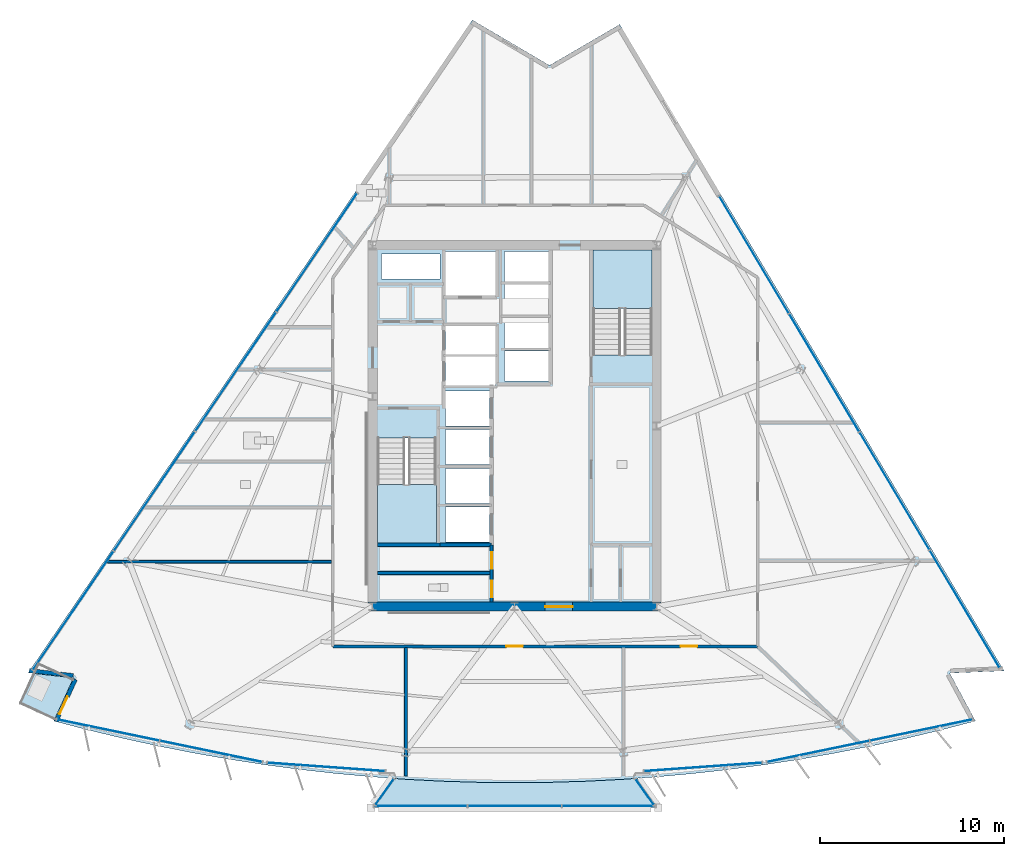
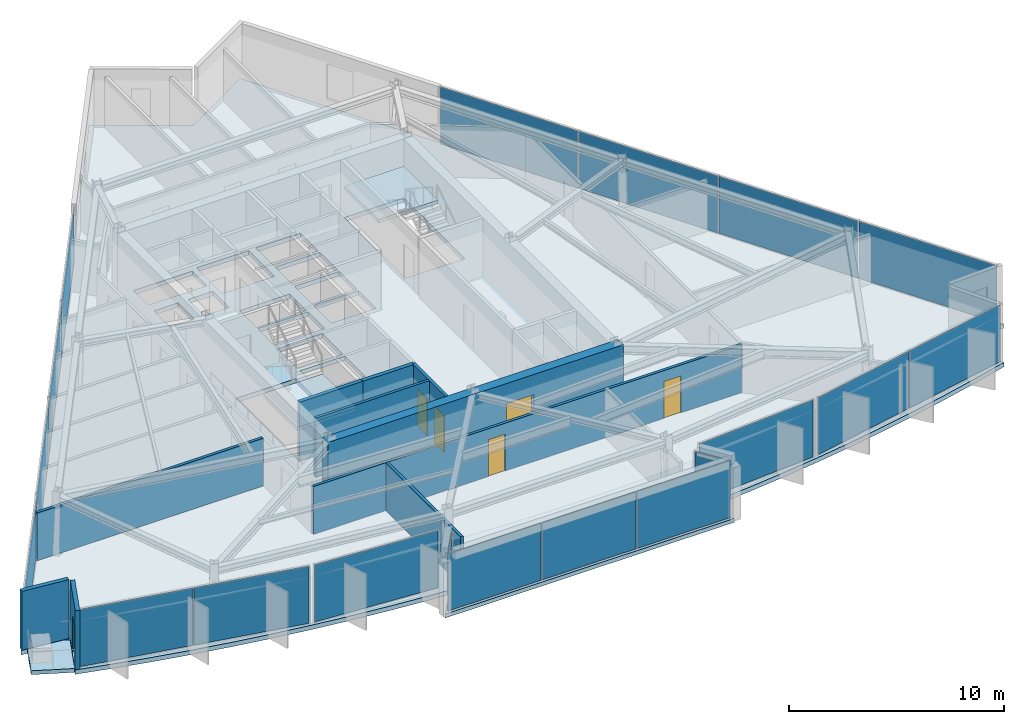
# One storey, part 7 of 15: 19 plates, 10 walls, 6 doors, 5 slabs, 6 openings, 11 elements without a shape of their own.
"""IFC4 building model written with IfcOpenShell, lengths in metres."""

from ifc_helpers import new_model, si_unit, direction, frame, frame_2d, origin, origin_2d, place, context, subcontext, project, spatial, polyline, rectangle, outline, extrude, material, layer, layer_set, type_object, element, fill, aggregate, save


model = new_model("IFC4")

# Units and contexts
model_context = context("Model", 3, precision=1e-05, world=origin(), true_north=direction((0.0, 1.0)))
body_context = subcontext(model_context, "Body", "Model", "MODEL_VIEW")
ifc_project = project(units=[si_unit("LENGTHUNIT", "METRE"), si_unit("AREAUNIT", "SQUARE_METRE"), si_unit("VOLUMEUNIT", "CUBIC_METRE"), si_unit("PLANEANGLEUNIT", "RADIAN"), si_unit("MASSUNIT", "GRAM", prefix="KILO")], contexts=[model_context])

# Site, building, storey
site_placement = place(None, origin())
site = spatial("IfcSite", under=ifc_project, at=site_placement, CompositionType="ELEMENT")
building_placement = place(site_placement, origin())
building = spatial("IfcBuilding", under=site, at=building_placement, Name="Savorim Split Tower", CompositionType="ELEMENT")
storey_placement = place(building_placement, frame((0.0, 0.0, 163.800048828125)))
storey = spatial("IfcBuildingStorey", under=building, at=storey_placement, Name="L43", CompositionType="ELEMENT", Elevation=163.800048828125)

# Curtain wall, plates
ifc_material_1 = material(Name="Dark Ceramic-Fritted Insulated Glass", Category="glass")
curtain_wall_type_1 = type_object("IfcCurtainWallType", Name="CW-TWR-FRIT-B", PredefinedType="NOTDEFINED", material=ifc_material_1)
curtain_wall_1_placement = place(storey_placement, origin())
curtain_wall_1 = element("IfcCurtainWall", 1, at=curtain_wall_1_placement, inside=storey, type_object=curtain_wall_type_1, Name="L43 Curtain Wall CW-L43-SF1A", PredefinedType="NOTDEFINED")
ifc_layer_1 = layer(ifc_material_1, 0.02587890625)
ifc_layer_set_1 = layer_set([ifc_layer_1], Name="CWP-FRITB-26")
plate_type_1 = type_object("IfcPlateType", Name="CWP-FRITB-26", PredefinedType="CURTAIN_PANEL", material=ifc_layer_set_1)
plate_1_placement = place(storey_placement, frame((-22.048583984375, -16.09619140625, 0.050048828125), z_axis=(0.0, 0.0, 1.0), x_axis=(0.979133837467, -0.20321645683, 0.0)))
plate_1 = element("IfcPlate", 2, at=plate_1_placement, type_object=plate_type_1, Name="CW-03 panel 1.1", PredefinedType="CURTAIN_PANEL", context=body_context, shape_type="SweptSolid", body=[
    extrude(rectangle(XDim=5.642333984375, YDim=0.02587890625, at=origin_2d()), origin(), (0.0, 0.0, 1.0), 3.25),
])
plate_2_placement = place(storey_placement, frame((-16.46533203125, -17.255126953125, 0.050048828125), z_axis=(0.0, 0.0, 1.0), x_axis=(0.979133837467, -0.20321645683, 0.0)))
plate_2 = element("IfcPlate", 3, at=plate_2_placement, type_object=plate_type_1, Name="CW-03 panel 2.1", PredefinedType="CURTAIN_PANEL", context=body_context, shape_type="SweptSolid", body=[
    extrude(rectangle(XDim=5.642333984375, YDim=0.02587890625, at=origin_2d()), origin(), (0.0, 0.0, 1.0), 3.25),
])
aggregate(curtain_wall_1, [plate_1, plate_2])

# Curtain wall, plate
curtain_wall_2_placement = place(storey_placement, origin())
curtain_wall_2 = element("IfcCurtainWall", 4, at=curtain_wall_2_placement, inside=storey, type_object=curtain_wall_type_1, Name="L43 Curtain Wall CW-L43-SF2A", PredefinedType="NOTDEFINED")
plate_3_placement = place(storey_placement, frame((-10.220947265625, -18.098388671875, 0.050048828125), z_axis=(0.0, 0.0, 1.0), x_axis=(0.997436471507, -0.071557566389, 0.0)))
plate_3 = element("IfcPlate", 5, at=plate_3_placement, type_object=plate_type_1, Name="CW-03 panel 1.1", PredefinedType="CURTAIN_PANEL", context=body_context, shape_type="SweptSolid", body=[
    extrude(rectangle(XDim=6.379638671875, YDim=0.02587890625, at=origin_2d()), origin(), (0.0, 0.0, 1.0), 3.25),
])
aggregate(curtain_wall_2, [plate_3])

curtain_wall_3_placement = place(storey_placement, origin())
curtain_wall_3 = element("IfcCurtainWall", 6, at=curtain_wall_3_placement, inside=storey, type_object=curtain_wall_type_1, Name="L43 Curtain Wall CW-L43-SF3A", PredefinedType="NOTDEFINED")
plate_4_placement = place(storey_placement, frame((10.220947265625, -18.098388671875, 0.050048828125), z_axis=(0.0, 0.0, 1.0), x_axis=(0.997436471507, 0.071557566389, 0.0)))
plate_4 = element("IfcPlate", 7, at=plate_4_placement, type_object=plate_type_1, Name="CW-03 panel 1.1", PredefinedType="CURTAIN_PANEL", context=body_context, shape_type="SweptSolid", body=[
    extrude(rectangle(XDim=6.379638671875, YDim=0.02587890625, at=origin_2d()), origin(), (0.0, 0.0, 1.0), 3.25),
])
aggregate(curtain_wall_3, [plate_4])

# Curtain wall, plates
curtain_wall_4_placement = place(storey_placement, origin())
curtain_wall_4 = element("IfcCurtainWall", 8, at=curtain_wall_4_placement, inside=storey, type_object=curtain_wall_type_1, Name="L43 Curtain Wall CW-L43-SF4A", PredefinedType="NOTDEFINED")
plate_5_placement = place(storey_placement, frame((16.46533203125, -17.255126953125, 0.050048828125), z_axis=(0.0, 0.0, 1.0), x_axis=(0.979133837467, 0.20321645683, 0.0)))
plate_5 = element("IfcPlate", 9, at=plate_5_placement, type_object=plate_type_1, Name="CW-03 panel 1.1", PredefinedType="CURTAIN_PANEL", context=body_context, shape_type="SweptSolid", body=[
    extrude(rectangle(XDim=5.642333984375, YDim=0.02587890625, at=origin_2d()), origin(), (0.0, 0.0, 1.0), 3.25),
])
plate_6_placement = place(storey_placement, frame((22.048583984375, -16.09619140625, 0.050048828125), z_axis=(0.0, 0.0, 1.0), x_axis=(0.979133837467, 0.20321645683, 0.0)))
plate_6 = element("IfcPlate", 10, at=plate_6_placement, type_object=plate_type_1, Name="CW-03 panel 2.1", PredefinedType="CURTAIN_PANEL", context=body_context, shape_type="SweptSolid", body=[
    extrude(rectangle(XDim=5.642333984375, YDim=0.02587890625, at=origin_2d()), origin(), (0.0, 0.0, 1.0), 3.25),
])
aggregate(curtain_wall_4, [plate_5, plate_6])

curtain_wall_5_placement = place(storey_placement, origin())
curtain_wall_5 = element("IfcCurtainWall", 11, at=curtain_wall_5_placement, inside=storey, type_object=curtain_wall_type_1, Name="L43 Curtain Wall CW-L43-EAST", PredefinedType="NOTDEFINED")
plate_7_placement = place(storey_placement, frame((24.410400390625, -9.536865234375, 0.050048828125), z_axis=(0.0, 0.0, 1.0), x_axis=(-0.511093786039, 0.85952495128, 0.0)))
plate_7 = element("IfcPlate", 12, at=plate_7_placement, type_object=plate_type_1, Name="CW-03 panel 1.1", PredefinedType="CURTAIN_PANEL", context=body_context, shape_type="SweptSolid", body=[
    extrude(rectangle(XDim=7.37353515625, YDim=0.02587890625, at=origin_2d()), origin(), (0.0, 0.0, 1.0), 3.25),
])
plate_8_placement = place(storey_placement, frame((20.603515625, -3.134765625, 0.050048828125), z_axis=(0.0, 0.0, 1.0), x_axis=(-0.511093786039, 0.85952495128, 0.0)))
plate_8 = element("IfcPlate", 13, at=plate_8_placement, type_object=plate_type_1, Name="CW-03 panel 2.1", PredefinedType="CURTAIN_PANEL", context=body_context, shape_type="SweptSolid", body=[
    extrude(rectangle(XDim=7.403564453125, YDim=0.02587890625, at=origin_2d()), origin(), (0.0, 0.0, 1.0), 3.25),
])
plate_9_placement = place(storey_placement, frame((16.7890625, 3.2802734375, 0.050048828125), z_axis=(0.0, 0.0, 1.0), x_axis=(-0.511093786039, 0.85952495128, 0.0)))
plate_9 = element("IfcPlate", 14, at=plate_9_placement, type_object=plate_type_1, Name="CW-03 panel 3.1", PredefinedType="CURTAIN_PANEL", context=body_context, shape_type="SweptSolid", body=[
    extrude(rectangle(XDim=7.403564453125, YDim=0.02587890625, at=origin_2d()), origin(), (0.0, 0.0, 1.0), 3.25),
])
plate_10_placement = place(storey_placement, frame((12.982177734375, 9.682373046875, 0.050048828125), z_axis=(0.0, 0.0, 1.0), x_axis=(-0.511093786039, 0.85952495128, 0.0)))
plate_10 = element("IfcPlate", 15, at=plate_10_placement, type_object=plate_type_1, Name="CW-03 panel 4.1", PredefinedType="CURTAIN_PANEL", context=body_context, shape_type="SweptSolid", body=[
    extrude(rectangle(XDim=7.37353515625, YDim=0.02587890625, at=origin_2d()), origin(), (0.0, 0.0, 1.0), 3.25),
])
aggregate(curtain_wall_5, [plate_7, plate_8, plate_9, plate_10])

curtain_wall_6_placement = place(storey_placement, origin())
curtain_wall_6 = element("IfcCurtainWall", 16, at=curtain_wall_6_placement, inside=storey, type_object=curtain_wall_type_1, Name="L43 Curtain Wall CW-L43-WEST", PredefinedType="NOTDEFINED")
plate_11_placement = place(storey_placement, frame((-10.730224609375, 9.800048828125, 0.050048828125), z_axis=(0.0, 0.0, 1.0), x_axis=(-0.562467714384, -0.826819248854, 0.0)))
plate_11 = element("IfcPlate", 17, at=plate_11_placement, type_object=plate_type_1, Name="CW-03 panel 1.1", PredefinedType="CURTAIN_PANEL", context=body_context, shape_type="SweptSolid", body=[
    extrude(rectangle(XDim=7.74951171875, YDim=0.02587890625, at=origin_2d()), origin(), (0.0, 0.0, 1.0), 3.25),
])
plate_12_placement = place(storey_placement, frame((-15.13134765625, 3.33056640625, 0.050048828125), z_axis=(0.0, 0.0, 1.0), x_axis=(-0.562467714384, -0.826819248854, 0.0)))
plate_12 = element("IfcPlate", 18, at=plate_12_placement, type_object=plate_type_1, Name="CW-03 panel 2.1", PredefinedType="CURTAIN_PANEL", context=body_context, shape_type="SweptSolid", body=[
    extrude(rectangle(XDim=7.779541015625, YDim=0.02587890625, at=origin_2d()), origin(), (0.0, 0.0, 1.0), 3.25),
])
plate_13_placement = place(storey_placement, frame((-19.540771484375, -3.1513671875, 0.050048828125), z_axis=(0.0, 0.0, 1.0), x_axis=(-0.562467714384, -0.826819248854, 0.0)))
plate_13 = element("IfcPlate", 19, at=plate_13_placement, type_object=plate_type_1, Name="CW-03 panel 3.1", PredefinedType="CURTAIN_PANEL", context=body_context, shape_type="SweptSolid", body=[
    extrude(rectangle(XDim=7.779541015625, YDim=0.02587890625, at=origin_2d()), origin(), (0.0, 0.0, 1.0), 3.25),
])
plate_14_placement = place(storey_placement, frame((-23.94189453125, -9.620849609375, 0.050048828125), z_axis=(0.0, 0.0, 1.0), x_axis=(-0.562467714384, -0.826819248854, 0.0)))
plate_14 = element("IfcPlate", 20, at=plate_14_placement, type_object=plate_type_1, Name="CW-03 panel 4.1", PredefinedType="CURTAIN_PANEL", context=body_context, shape_type="SweptSolid", body=[
    extrude(rectangle(XDim=7.74951171875, YDim=0.02587890625, at=origin_2d()), origin(), (0.0, 0.0, 1.0), 3.25),
])
aggregate(curtain_wall_6, [plate_11, plate_12, plate_13, plate_14])

curtain_wall_type_2 = type_object("IfcCurtainWallType", Name="CW-BAY-LOUNGE", PredefinedType="NOTDEFINED", material=ifc_material_1)
curtain_wall_7_placement = place(storey_placement, origin())
curtain_wall_7 = element("IfcCurtainWall", 21, at=curtain_wall_7_placement, inside=storey, type_object=curtain_wall_type_2, Name="L43 Curtain Wall CW-L43-BAYF", PredefinedType="NOTDEFINED")
ifc_material_2 = material(Name="Low-E Operable Double Glazing", Category="glass")
ifc_layer_2 = layer(ifc_material_2, 0.031982421875)
ifc_layer_set_2 = layer_set([ifc_layer_2], Name="CWP-POD-32")
plate_type_2 = type_object("IfcPlateType", Name="CWP-POD-32", PredefinedType="CURTAIN_PANEL", material=ifc_layer_set_2)
plate_15_placement = place(storey_placement, frame((-5.09619140625, -20.208740234375, 0.05517578125), z_axis=(0.0, 0.0, 1.0), x_axis=(1.0, 0.0, 0.0)))
plate_15 = element("IfcPlate", 22, at=plate_15_placement, type_object=plate_type_2, Name="CW-04 panel 1.1", PredefinedType="CURTAIN_PANEL", context=body_context, shape_type="SweptSolid", body=[
    extrude(rectangle(XDim=5.014892578125, YDim=0.031982421875, at=origin_2d()), origin(), (0.0, 0.0, 1.0), 3.239990234375),
])
plate_16_placement = place(storey_placement, frame((0.0, -20.208740234375, 0.05517578125), z_axis=(0.0, 0.0, 1.0), x_axis=(1.0, 0.0, 0.0)))
plate_16 = element("IfcPlate", 23, at=plate_16_placement, type_object=plate_type_2, Name="CW-04 panel 2.1", PredefinedType="CURTAIN_PANEL", context=body_context, shape_type="SweptSolid", body=[
    extrude(rectangle(XDim=5.04736328125, YDim=0.031982421875, at=origin_2d()), origin(), (0.0, 0.0, 1.0), 3.239990234375),
])
plate_17_placement = place(storey_placement, frame((5.09619140625, -20.208740234375, 0.05517578125), z_axis=(0.0, 0.0, 1.0), x_axis=(1.0, 0.0, 0.0)))
plate_17 = element("IfcPlate", 24, at=plate_17_placement, type_object=plate_type_2, Name="CW-04 panel 3.1", PredefinedType="CURTAIN_PANEL", context=body_context, shape_type="SweptSolid", body=[
    extrude(rectangle(XDim=5.014892578125, YDim=0.031982421875, at=origin_2d()), origin(), (0.0, 0.0, 1.0), 3.239990234375),
])
aggregate(curtain_wall_7, [plate_15, plate_16, plate_17])

# Curtain wall, plate
curtain_wall_8_placement = place(storey_placement, origin())
curtain_wall_8 = element("IfcCurtainWall", 25, at=curtain_wall_8_placement, inside=storey, type_object=curtain_wall_type_2, Name="L43 Curtain Wall CW-L43-BAYW", PredefinedType="NOTDEFINED")
plate_18_placement = place(storey_placement, frame((-7.054931640625, -19.453369140625, 0.05517578125), z_axis=(0.0, 0.0, 1.0), x_axis=(-0.581114461331, -0.813821837279, 0.0)))
plate_18 = element("IfcPlate", 26, at=plate_18_placement, type_object=plate_type_2, Name="CW-04 panel 1.1", PredefinedType="CURTAIN_PANEL", context=body_context, shape_type="SweptSolid", body=[
    extrude(rectangle(XDim=1.704833984375, YDim=0.031982421875, at=origin_2d()), origin(), (0.0, 0.0, 1.0), 3.239990234375),
])
aggregate(curtain_wall_8, [plate_18])

curtain_wall_9_placement = place(storey_placement, origin())
curtain_wall_9 = element("IfcCurtainWall", 27, at=curtain_wall_9_placement, inside=storey, type_object=curtain_wall_type_2, Name="L43 Curtain Wall CW-L43-BAYE", PredefinedType="NOTDEFINED")
plate_19_placement = place(storey_placement, frame((7.054931640625, -19.453369140625, 0.05517578125), z_axis=(0.0, 0.0, 1.0), x_axis=(-0.581114461331, 0.813821837279, 0.0)))
plate_19 = element("IfcPlate", 28, at=plate_19_placement, type_object=plate_type_2, Name="CW-04 panel 1.1", PredefinedType="CURTAIN_PANEL", context=body_context, shape_type="SweptSolid", body=[
    extrude(rectangle(XDim=1.704833984375, YDim=0.031982421875, at=origin_2d()), origin(), (0.0, 0.0, 1.0), 3.239990234375),
])
aggregate(curtain_wall_9, [plate_19])

# Slabs
ifc_material_3 = material(Name="Concrete C50/60", Category="concrete")
ifc_layer_3 = layer(ifc_material_3, 0.219970703125)
ifc_layer_set_3 = layer_set([ifc_layer_3], Name="SLB-BAL-220")
slab_type_1 = type_object("IfcSlabType", Name="SLB-BAL-220", PredefinedType="FLOOR", material=ifc_layer_set_3)
slab_1_placement = place(storey_placement, frame((0.0, 0.0, -0.219970703125)))
element("IfcSlab", 29, at=slab_1_placement, inside=storey, type_object=slab_type_1, Name="L43 Cantilevered Shared Kitchen Lounge Slab", PredefinedType="FLOOR", context=body_context, shape_type="SweptSolid", body=[
    extrude(outline(polyline([(6.650146484375, -18.714111328125), (5.832275390625, -18.77294921875), (3.8896484375, -18.872314453125), (1.9453125, -18.93212890625), (0.0, -18.951904296875), (-1.9453125, -18.93212890625), (-3.8896484375, -18.872314453125), (-5.832275390625, -18.77294921875), (-6.650146484375, -18.714111328125), (-7.78857421875, -20.30859375), (7.78857421875, -20.30859375), (6.650146484375, -18.714111328125)])), origin(), (0.0, 0.0, 1.0), 0.219970703125),
])
slab_2_placement = place(storey_placement, frame((0.0, 0.0, -0.219970703125)))
element("IfcSlab", 30, at=slab_2_placement, inside=storey, type_object=slab_type_1, Name="L43 Notched Corner Planted Tree Balcony Slab", PredefinedType="FLOOR", context=body_context, shape_type="SweptSolid", body=[
    extrude(outline(polyline([(-24.946533203125, -15.496826171875), (-23.969482421875, -13.37060546875), (-24.280029296875, -13.22802734375), (-26.06298828125, -13.02880859375), (-26.8046875, -14.64306640625), (-24.946533203125, -15.496826171875)])), origin(), (0.0, 0.0, 1.0), 0.219970703125),
])

# Stair, slab
stair_type = type_object("IfcStairType", Name="STR-DOG-3600", PredefinedType="HALF_TURN_STAIR", material=ifc_material_3)
stair_1_placement = place(storey_placement, origin())
stair_1 = element("IfcStair", 31, at=stair_1_placement, inside=storey, type_object=stair_type, Name="L43 Core Protected Exit Stair ST-1", PredefinedType="HALF_TURN_STAIR")
ifc_layer_4 = layer(ifc_material_3, 0.199951171875)
ifc_layer_set_4 = layer_set([ifc_layer_4], Name="SLB-LND-200")
slab_type_2 = type_object("IfcSlabType", Name="SLB-LND-200", PredefinedType="LANDING", material=ifc_layer_set_4)
slab_3_placement = place(storey_placement, frame((0.0, 0.0, 1.599853515625)))
slab_3 = element("IfcSlab", 32, at=slab_3_placement, type_object=slab_type_2, Name="ST-1 landing 1", PredefinedType="LANDING", context=body_context, shape_type="SweptSolid", body=[
    extrude(outline(polyline([(-7.449951171875, -2.77001953125), (-7.449951171875, -5.949951171875), (-4.25, -5.949951171875), (-4.25, -2.77001953125), (-7.449951171875, -2.77001953125)])), origin(), (0.0, 0.0, 1.0), 0.2001953125),
])
aggregate(stair_1, [slab_3])

stair_2_placement = place(storey_placement, origin())
stair_2 = element("IfcStair", 33, at=stair_2_placement, inside=storey, type_object=stair_type, Name="L43 Core Protected Exit Stair ST-2", PredefinedType="HALF_TURN_STAIR")
slab_4_placement = place(storey_placement, frame((0.0, 0.0, 1.599853515625)))
slab_4 = element("IfcSlab", 34, at=slab_4_placement, type_object=slab_type_2, Name="ST-2 landing 1", PredefinedType="LANDING", context=body_context, shape_type="SweptSolid", body=[
    extrude(outline(polyline([(7.449951171875, 6.77001953125), (7.449951171875, 9.949951171875), (4.25, 9.949951171875), (4.25, 6.77001953125), (7.449951171875, 6.77001953125)])), origin(), (0.0, 0.0, 1.0), 0.2001953125),
])
aggregate(stair_2, [slab_4])

# Slab
ifc_layer_5 = layer(ifc_material_3, 0.25)
ifc_layer_set_5 = layer_set([ifc_layer_5], Name="SLB-TWR-250")
slab_type_3 = type_object("IfcSlabType", Name="SLB-TWR-250", PredefinedType="FLOOR", material=ifc_layer_set_5)
slab_5_placement = place(storey_placement, frame((0.0, 0.0, -0.25)))
element("IfcSlab", 35, at=slab_5_placement, inside=storey, type_object=slab_type_3, Name="L43 Structural Floor Slab", PredefinedType="FLOOR", context=body_context, shape_type="SweptSolid", body=[
    extrude(outline(polyline([(-24.991943359375, -15.60791015625), (-23.110107421875, -16.10009765625), (-21.21826171875, -16.5537109375), (-19.31787109375, -16.968505859375), (-17.4091796875, -17.34423828125), (-15.4931640625, -17.680908203125), (-13.57080078125, -17.978515625), (-11.642578125, -18.236328125), (-9.709716796875, -18.454833984375), (-7.772705078125, -18.6337890625), (-5.832275390625, -18.77294921875), (-3.8896484375, -18.872314453125), (-1.9453125, -18.93212890625), (0.0, -18.951904296875), (1.9453125, -18.93212890625), (3.8896484375, -18.872314453125), (5.832275390625, -18.77294921875), (7.772705078125, -18.6337890625), (9.709716796875, -18.454833984375), (11.642578125, -18.236328125), (13.57080078125, -17.978515625), (15.4931640625, -17.680908203125), (17.4091796875, -17.34423828125), (19.31787109375, -16.968505859375), (21.21826171875, -16.5537109375), (23.110107421875, -16.10009765625), (24.991943359375, -15.60791015625), (23.59814453125, -13.01025390625), (26.541015625, -12.885009765625), (5.697021484375, 22.1689453125), (1.89208984375, 19.951416015625), (-2.29541015625, 22.41259765625), (-26.378173828125, -12.988525390625), (-23.914794921875, -13.263671875), (-24.991943359375, -15.60791015625)]), holes=[polyline([(-7.449951171875, -0.25390625), (-7.449951171875, -5.949951171875), (-4.25, -5.949951171875), (-4.25, -0.25390625), (-7.449951171875, -0.25390625)]), polyline([(7.449951171875, 4.25390625), (7.449951171875, 9.949951171875), (4.25, 9.949951171875), (4.25, 4.25390625), (7.449951171875, 4.25390625)]), polyline([(-3.75, -5.89990234375), (-1.35009765625, -5.89990234375), (-1.35009765625, -4.0), (-3.75, -4.0), (-3.75, -5.89990234375)]), polyline([(-3.75, -3.800048828125), (-1.35009765625, -3.800048828125), (-1.35009765625, -1.89990234375), (-3.75, -1.89990234375), (-3.75, -3.800048828125)]), polyline([(-3.75, -1.699951171875), (-1.35009765625, -1.699951171875), (-1.35009765625, 0.199951171875), (-3.75, 0.199951171875), (-3.75, -1.699951171875)]), polyline([(-3.75, 0.39990234375), (-1.35009765625, 0.39990234375), (-1.35009765625, 2.300048828125), (-3.75, 2.300048828125), (-3.75, 0.39990234375)]), polyline([(-0.550048828125, 2.830078125), (1.85009765625, 2.830078125), (1.85009765625, 4.469970703125), (-0.550048828125, 4.469970703125), (-0.550048828125, 2.830078125)]), polyline([(-0.550048828125, 4.6298828125), (1.85009765625, 4.6298828125), (1.85009765625, 6.27001953125), (-0.550048828125, 6.27001953125), (-0.550048828125, 4.6298828125)]), polyline([(-0.550048828125, 6.429931640625), (1.85009765625, 6.429931640625), (1.85009765625, 8.070068359375), (-0.550048828125, 8.070068359375), (-0.550048828125, 6.429931640625)]), polyline([(-0.550048828125, 8.22998046875), (1.85009765625, 8.22998046875), (1.85009765625, 9.8701171875), (-0.550048828125, 9.8701171875), (-0.550048828125, 8.22998046875)]), polyline([(-3.75, 2.60009765625), (-1.050048828125, 2.60009765625), (-1.050048828125, 4.159912109375), (-3.75, 4.159912109375), (-3.75, 2.60009765625)]), polyline([(-3.75, 4.280029296875), (-1.050048828125, 4.280029296875), (-1.050048828125, 5.840087890625), (-3.75, 5.840087890625), (-3.75, 4.280029296875)]), polyline([(-3.75, 7.449951171875), (-0.949951171875, 7.449951171875), (-0.949951171875, 9.85009765625), (-3.75, 9.85009765625), (-3.75, 7.449951171875)]), polyline([(-7.219970703125, 6.320068359375), (-5.919921875, 6.320068359375), (-5.919921875, 7.820068359375), (-7.219970703125, 7.820068359375), (-7.219970703125, 6.320068359375)]), polyline([(-5.3798828125, 6.320068359375), (-4.050048828125, 6.320068359375), (-4.050048828125, 7.820068359375), (-5.3798828125, 7.820068359375), (-5.3798828125, 6.320068359375)]), polyline([(-7.219970703125, 8.360107421875), (-4.050048828125, 8.360107421875), (-4.050048828125, 9.719970703125), (-7.219970703125, 9.719970703125), (-7.219970703125, 8.360107421875)])]), origin(), (0.0, 0.0, 1.0), 0.25),
])

# Wall, opening, door
ifc_material_4 = material(Name="Concrete C60/75", Category="concrete")
ifc_layer_6 = layer(ifc_material_4, 0.5)
ifc_layer_set_6 = layer_set([ifc_layer_6], Name="WAL-COR-SH500")
wall_type_1 = type_object("IfcWallType", Name="WAL-COR-SH500", PredefinedType="SHEAR", material=ifc_layer_set_6)
wall_1_placement = place(storey_placement, frame((-7.949951171875, -9.39990234375, 0.0), z_axis=(0.0, 0.0, 1.0), x_axis=(1.0, 0.0, 0.0)))
wall_1 = element("IfcWall", 36, at=wall_1_placement, inside=storey, type_object=wall_type_1, Name="L43 Offset Core South Shear Wall", PredefinedType="SHEAR", context=body_context, shape_type="SweptSolid", body=[
    extrude(rectangle(XDim=15.89990234375, YDim=0.5, at=frame_2d((7.949951171875, 0.0))), origin(), (0.0, 0.0, 1.0), 3.349853515625),
])
opening_1_placement = place(wall_1_placement, frame((9.60009765625, 0.0, 0.0)))
opening_1 = element("IfcOpeningElement", 37, at=opening_1_placement, cuts=wall_1, Name="Opening DI-02", PredefinedType="OPENING", context=body_context, shape_type="SweptSolid", body=[
    extrude(rectangle(XDim=1.5, YDim=2.199951171875, at=frame_2d((0.75, 1.10009765625))), frame((0.0, 0.260009765625, 0.0), z_axis=(0.0, -1.0, 0.0), x_axis=(1.0, 0.0, 0.0)), (0.0, 0.0, 1.0), 0.52001953125),
])
ifc_material_5 = material(Name="Timber Fire Door Leaf", Category="wood")
door_type_1 = type_object("IfcDoorType", Name="DOR-DBL-1500", OperationType="NOTDEFINED", PredefinedType="DOOR", material=ifc_material_5)
door_1_placement = place(opening_1_placement, origin())
door_1 = element("IfcDoor", 38, at=door_1_placement, inside=storey, type_object=door_type_1, Name="DOR-L43-COR-LLOB - L43 Lift Lobby Main Rated Door", OperationType="DOUBLE_DOOR_SINGLE_SWING", OverallHeight=2.199951171875, OverallWidth=1.5, PredefinedType="DOOR", context=body_context, shape_type="SweptSolid", body=[
    extrude(rectangle(XDim=1.5, YDim=2.199951171875, at=frame_2d((0.75, 1.10009765625))), frame((0.0, 0.02490234375, 0.0), z_axis=(0.0, -1.0, 0.0), x_axis=(1.0, 0.0, 0.0)), (0.0, 0.0, 1.0), 0.050048828125),
])
fill(opening_1, door_1)

# Wall
ifc_material_6 = material(Name="Precast concrete C40/50", Category="concrete")
ifc_layer_7 = layer(ifc_material_6, 0.219970703125)
ifc_layer_set_7 = layer_set([ifc_layer_7], Name="WAL-EXT-CRN220")
wall_type_2 = type_object("IfcWallType", Name="WAL-EXT-CRN220", PredefinedType="SOLIDWALL", material=ifc_layer_set_7)
wall_2_placement = place(storey_placement, frame((-23.94140625, -13.139892578125, 0.0), z_axis=(0.0, 0.0, 1.0), x_axis=(-0.993825249999, 0.110956624245, 0.0)))
element("IfcWall", 39, at=wall_2_placement, inside=storey, type_object=wall_type_2, Name="L43 Notched Corner Facade Wall SW1", PredefinedType="SOLIDWALL", context=body_context, shape_type="SweptSolid", body=[
    extrude(rectangle(XDim=2.3984375, YDim=0.219970703125, at=frame_2d((1.19921875, 0.0))), origin(), (0.0, 0.0, 1.0), 3.349853515625),
])

# Wall, opening, door
wall_3_placement = place(storey_placement, frame((-24.8662109375, -15.621826171875, 0.0), z_axis=(0.0, 0.0, 1.0), x_axis=(0.417478378529, 0.908686856657, 0.0)))
wall_3 = element("IfcWall", 40, at=wall_3_placement, inside=storey, type_object=wall_type_2, Name="L43 Notched Corner Facade Wall SW", PredefinedType="SOLIDWALL", context=body_context, shape_type="SweptSolid", body=[
    extrude(rectangle(XDim=2.5, YDim=0.219970703125, at=frame_2d((1.25, 0.0))), origin(), (0.0, 0.0, 1.0), 3.349853515625),
])
opening_2_placement = place(wall_3_placement, frame((0.425048828125, 0.0, 0.0)))
opening_2 = element("IfcOpeningElement", 41, at=opening_2_placement, cuts=wall_3, Name="Opening DB-01", PredefinedType="OPENING", context=body_context, shape_type="SweptSolid", body=[
    extrude(rectangle(XDim=1.050048828125, YDim=2.14990234375, at=frame_2d((0.52490234375, 1.074951171875))), frame((0.0, 0.119873046875, 0.0), z_axis=(0.0, -1.0, 0.0), x_axis=(1.0, 0.0, 0.0)), (0.0, 0.0, 1.0), 0.239990234375),
])
ifc_material_7 = material(Name="Charcoal Anodised Aluminium", Category="aluminium")
door_type_2 = type_object("IfcDoorType", Name="DOR-BAL-1050", OperationType="NOTDEFINED", PredefinedType="DOOR", material=ifc_material_7)
door_2_placement = place(opening_2_placement, origin())
door_2 = element("IfcDoor", 42, at=door_2_placement, inside=storey, type_object=door_type_2, Name="DOR-L43-TBAL-SW - L43 Planted Tree Balcony Door SW", OperationType="SINGLE_SWING_RIGHT", OverallHeight=2.14990234375, OverallWidth=1.050048828125, PredefinedType="DOOR", context=body_context, shape_type="SweptSolid", body=[
    extrude(rectangle(XDim=1.050048828125, YDim=2.14990234375, at=frame_2d((0.52490234375, 1.074951171875))), frame((0.0, 0.02490234375, 0.0), z_axis=(0.0, -1.0, 0.0), x_axis=(1.0, 0.0, 0.0)), (0.0, 0.0, 1.0), 0.050048828125),
])
fill(opening_2, door_2)

# Walls
ifc_layer_8 = layer(ifc_material_3, 0.199951171875)
ifc_layer_set_8 = layer_set([ifc_layer_8], Name="WAL-INT-RC200")
wall_type_3 = type_object("IfcWallType", Name="WAL-INT-RC200", PredefinedType="SOLIDWALL", material=ifc_layer_set_8)
wall_4_placement = place(storey_placement, frame((-7.449951171875, -6.050048828125, 0.0), z_axis=(0.0, 0.0, 1.0), x_axis=(1.0, 0.0, 0.0)))
element("IfcWall", 43, at=wall_4_placement, inside=storey, type_object=wall_type_3, Name="L43 Structural Shaft Wall W-L43-KSEP-W", PredefinedType="SOLIDWALL", context=body_context, shape_type="SweptSolid", body=[
    extrude(rectangle(XDim=3.39990234375, YDim=0.199951171875, at=frame_2d((1.699951171875, 0.0))), origin(), (0.0, 0.0, 1.0), 3.349853515625),
])
wall_5_placement = place(storey_placement, frame((-4.0400390625, -6.050048828125, 0.0), z_axis=(0.0, 0.0, 1.0), x_axis=(1.0, 0.0, 0.0)))
element("IfcWall", 44, at=wall_5_placement, inside=storey, type_object=wall_type_3, Name="L43 Partition W-L43-KSEP-W2", PredefinedType="SOLIDWALL", context=body_context, shape_type="SweptSolid", body=[
    extrude(rectangle(XDim=2.7900390625, YDim=0.199951171875, at=frame_2d((1.39501953125, 0.0))), origin(), (0.0, 0.0, 1.0), 3.349853515625),
])

# Wall, openings, doors
ifc_material_8 = material(Name="Acoustic Gypsum Partition Board")
ifc_layer_9 = layer(ifc_material_8, 0.14990234375)
ifc_layer_set_9 = layer_set([ifc_layer_9], Name="WAL-PAR-150")
wall_type_4 = type_object("IfcWallType", Name="WAL-PAR-150", PredefinedType="PARTITIONING", material=ifc_layer_set_9)
wall_6_placement = place(storey_placement, frame((-1.25, -9.14501953125, 0.0), z_axis=(0.0, 0.0, 1.0), x_axis=(0.0, 1.0, 0.0)))
wall_6 = element("IfcWall", 45, at=wall_6_placement, inside=storey, type_object=wall_type_4, Name="L43 Partition W-L43-KLOB-W", PredefinedType="PARTITIONING", context=body_context, shape_type="SweptSolid", body=[
    extrude(rectangle(XDim=3.094970703125, YDim=0.14990234375, at=frame_2d((1.54736328125, 0.0))), origin(), (0.0, 0.0, 1.0), 3.349853515625),
])
opening_3_placement = place(wall_6_placement, frame((1.794921875, 0.0, 0.0)))
opening_3 = element("IfcOpeningElement", 46, at=opening_3_placement, cuts=wall_6, Name="Opening DI-06", PredefinedType="OPENING", context=body_context, shape_type="SweptSolid", body=[
    extrude(rectangle(XDim=0.89990234375, YDim=2.10009765625, at=frame_2d((0.449951171875, 1.050048828125))), frame((0.0, 0.0849609375, 0.0), z_axis=(0.0, -1.0, 0.0), x_axis=(1.0, 0.0, 0.0)), (0.0, 0.0, 1.0), 0.169921875),
])
opening_4_placement = place(wall_6_placement, frame((0.2451171875, 0.0, 0.0)))
opening_4 = element("IfcOpeningElement", 47, at=opening_4_placement, cuts=wall_6, Name="Opening DI-11", PredefinedType="OPENING", context=body_context, shape_type="SweptSolid", body=[
    extrude(rectangle(XDim=0.89990234375, YDim=2.10009765625, at=frame_2d((0.449951171875, 1.050048828125))), frame((0.0, 0.0849609375, 0.0), z_axis=(0.0, -1.0, 0.0), x_axis=(1.0, 0.0, 0.0)), (0.0, 0.0, 1.0), 0.169921875),
])
door_type_3 = type_object("IfcDoorType", Name="DOR-FIR-900", OperationType="NOTDEFINED", PredefinedType="DOOR", material=ifc_material_5)
door_3_placement = place(opening_3_placement, origin())
door_3 = element("IfcDoor", 48, at=door_3_placement, inside=storey, type_object=door_type_3, Name="DR-L43-K2CLN - L43 Cleaning Store Door", OperationType="SINGLE_SWING_LEFT", OverallHeight=2.10009765625, OverallWidth=0.89990234375, PredefinedType="DOOR", context=body_context, shape_type="SweptSolid", body=[
    extrude(rectangle(XDim=0.89990234375, YDim=2.10009765625, at=frame_2d((0.449951171875, 1.050048828125))), frame((0.0, 0.02490234375, 0.0), z_axis=(0.0, -1.0, 0.0), x_axis=(1.0, 0.0, 0.0)), (0.0, 0.0, 1.0), 0.050048828125),
])
fill(opening_3, door_3)
ifc_material_9 = material(Name="Oak Veneer Acoustic Door")
door_type_4 = type_object("IfcDoorType", Name="DOR-WC-900", OperationType="NOTDEFINED", PredefinedType="DOOR", material=ifc_material_9)
door_4_placement = place(opening_4_placement, origin())
door_4 = element("IfcDoor", 49, at=door_4_placement, inside=storey, type_object=door_type_4, Name="DR-L43-K2WC - L43 Core WC Door", OperationType="SINGLE_SWING_RIGHT", OverallHeight=2.10009765625, OverallWidth=0.89990234375, PredefinedType="DOOR", context=body_context, shape_type="SweptSolid", body=[
    extrude(rectangle(XDim=0.89990234375, YDim=2.10009765625, at=frame_2d((0.449951171875, 1.050048828125))), frame((0.0, 0.02490234375, 0.0), z_axis=(0.0, -1.0, 0.0), x_axis=(1.0, 0.0, 0.0)), (0.0, 0.0, 1.0), 0.050048828125),
])
fill(opening_4, door_4)

# Wall
wall_7_placement = place(storey_placement, frame((-7.445068359375, -7.580078125, 0.0), z_axis=(0.0, 0.0, 1.0), x_axis=(1.0, 0.0, 0.0)))
element("IfcWall", 50, at=wall_7_placement, inside=storey, type_object=wall_type_4, Name="L43 Partition W-L43-K2H", PredefinedType="PARTITIONING", context=body_context, shape_type="SweptSolid", body=[
    extrude(rectangle(XDim=6.195068359375, YDim=0.14990234375, at=frame_2d((3.09765625, 0.0))), origin(), (0.0, 0.0, 1.0), 3.349853515625),
])

# Wall, openings, doors
wall_8_placement = place(storey_placement, frame((13.179931640625, -11.56005859375, 0.0), z_axis=(0.0, 0.0, 1.0), x_axis=(-1.0, 0.0, 0.0)))
wall_8 = element("IfcWall", 51, at=wall_8_placement, inside=storey, type_object=wall_type_4, Name="L43 Partition W-L43-COR-06", PredefinedType="PARTITIONING", context=body_context, shape_type="SweptSolid", body=[
    extrude(rectangle(XDim=23.0400390625, YDim=0.14990234375, at=frame_2d((11.52001953125, 0.0))), origin(), (0.0, 0.0, 1.0), 2.724853515625),
])
opening_5_placement = place(wall_8_placement, frame((12.72998046875, 0.0, 0.0)))
opening_5 = element("IfcOpeningElement", 52, at=opening_5_placement, cuts=wall_8, Name="Opening DI-06", PredefinedType="OPENING", context=body_context, shape_type="SweptSolid", body=[
    extrude(rectangle(XDim=0.89990234375, YDim=2.10009765625, at=frame_2d((0.449951171875, 1.050048828125))), frame((0.0, 0.0849609375, 0.0), z_axis=(0.0, -1.0, 0.0), x_axis=(1.0, 0.0, 0.0)), (0.0, 0.0, 1.0), 0.169921875),
])
opening_6_placement = place(wall_8_placement, frame((3.27978515625, 0.0, 0.0)))
opening_6 = element("IfcOpeningElement", 53, at=opening_6_placement, cuts=wall_8, Name="Opening DI-06", PredefinedType="OPENING", context=body_context, shape_type="SweptSolid", body=[
    extrude(rectangle(XDim=0.89990234375, YDim=2.10009765625, at=frame_2d((0.449951171875, 1.050048828125))), frame((0.0, 0.0849609375, 0.0), z_axis=(0.0, -1.0, 0.0), x_axis=(1.0, 0.0, 0.0)), (0.0, 0.0, 1.0), 0.169921875),
])
door_5_placement = place(opening_5_placement, origin())
door_5 = element("IfcDoor", 54, at=door_5_placement, inside=storey, type_object=door_type_3, Name="DR-L43-RM05 - L43 Co-Working Commons Entry Door", OperationType="SINGLE_SWING_RIGHT", OverallHeight=2.10009765625, OverallWidth=0.89990234375, PredefinedType="DOOR", context=body_context, shape_type="SweptSolid", body=[
    extrude(rectangle(XDim=0.89990234375, YDim=2.10009765625, at=frame_2d((0.449951171875, 1.050048828125))), frame((0.0, 0.02490234375, 0.0), z_axis=(0.0, -1.0, 0.0), x_axis=(1.0, 0.0, 0.0)), (0.0, 0.0, 1.0), 0.050048828125),
])
fill(opening_5, door_5)
door_6_placement = place(opening_6_placement, origin())
door_6 = element("IfcDoor", 55, at=door_6_placement, inside=storey, type_object=door_type_3, Name="DR-L43-RM06 - L43 Co-Working Commons Entry Door", OperationType="SINGLE_SWING_LEFT", OverallHeight=2.10009765625, OverallWidth=0.89990234375, PredefinedType="DOOR", context=body_context, shape_type="SweptSolid", body=[
    extrude(rectangle(XDim=0.89990234375, YDim=2.10009765625, at=frame_2d((0.449951171875, 1.050048828125))), frame((0.0, 0.02490234375, 0.0), z_axis=(0.0, -1.0, 0.0), x_axis=(1.0, 0.0, 0.0)), (0.0, 0.0, 1.0), 0.050048828125),
])
fill(opening_6, door_6)

# Walls
wall_9_placement = place(storey_placement, frame((-5.8984375, -11.6201171875, 0.0), z_axis=(0.0, 0.0, 1.0), x_axis=(0.0, -1.0, 0.0)))
element("IfcWall", 56, at=wall_9_placement, inside=storey, type_object=wall_type_4, Name="L43 Partition W-L43-PRAD02", PredefinedType="PARTITIONING", context=body_context, shape_type="SweptSolid", body=[
    extrude(rectangle(XDim=6.9775390625, YDim=0.14990234375, at=frame_2d((3.48876953125, 0.0))), origin(), (0.0, 0.0, 1.0), 2.724853515625),
])
wall_10_placement = place(storey_placement, frame((-9.919921875, -6.97509765625, 0.0), z_axis=(0.0, 0.0, 1.0), x_axis=(-1.0, 0.0, 0.0)))
element("IfcWall", 57, at=wall_10_placement, inside=storey, type_object=wall_type_4, Name="L43 Partition W-L43-PRAD10", PredefinedType="PARTITIONING", context=body_context, shape_type="SweptSolid", body=[
    extrude(rectangle(XDim=12.16162109375, YDim=0.14990234375, at=frame_2d((6.080810546875, 0.0))), origin(), (0.0, 0.0, 1.0), 2.724853515625),
])

save(model, "model.ifc")
